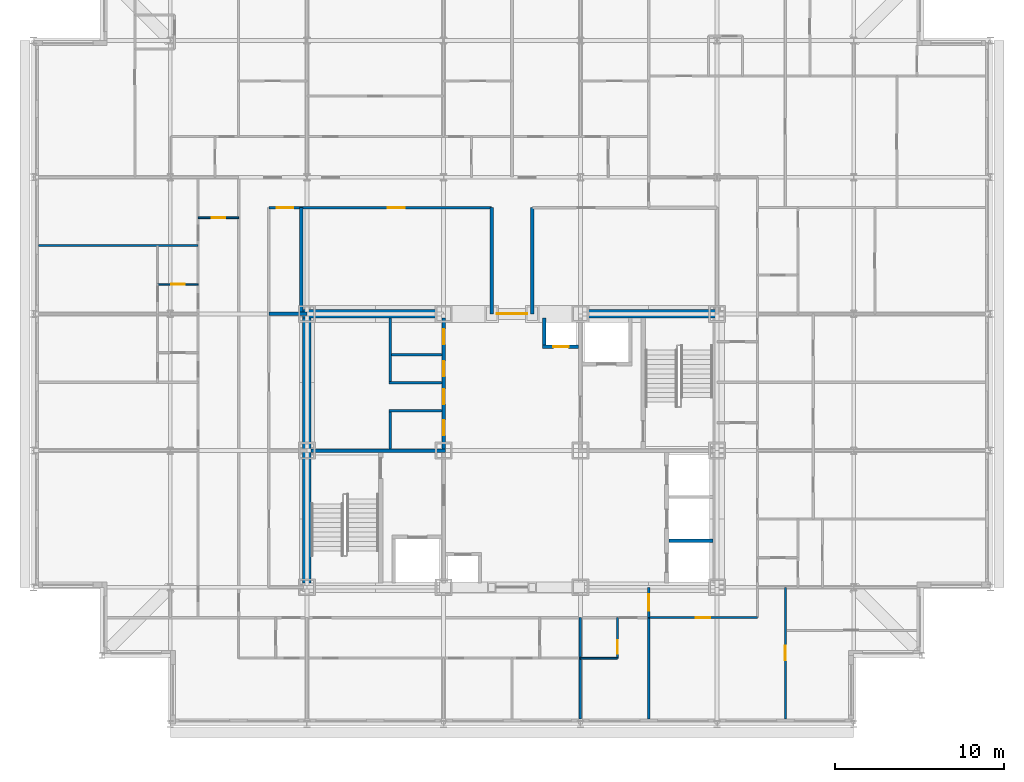
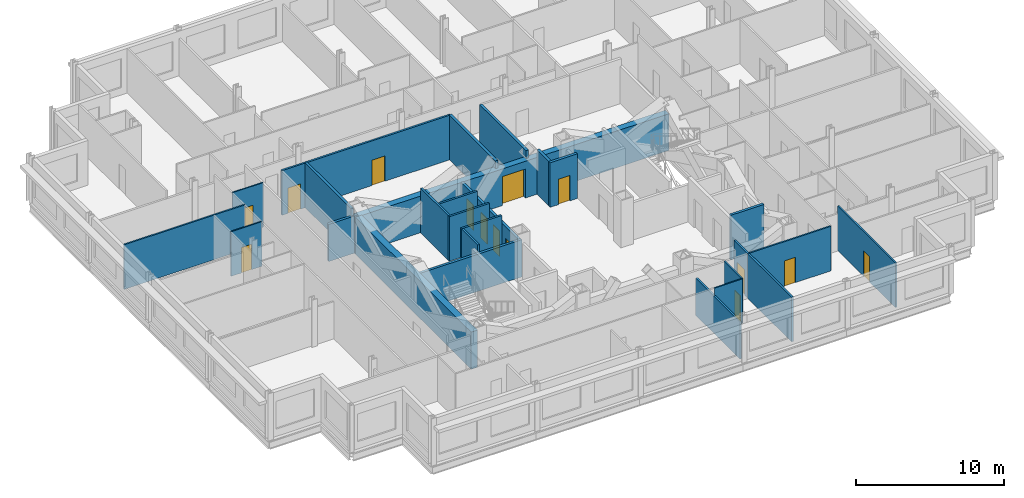
# One storey, part 9 of 15: 27 walls, 14 doors, 14 openings.
"""IFC4 building model written with IfcOpenShell, lengths in metres."""

from ifc_helpers import new_model, si_unit, direction, frame, frame_2d, origin, place, context, subcontext, project, spatial, rectangle, extrude, material, layer, layer_set, type_object, element, fill, save


model = new_model("IFC4")

# Units and contexts
model_context = context("Model", 3, precision=1e-05, world=origin(), true_north=direction((0.0, 1.0)))
body_context = subcontext(model_context, "Body", "Model", "MODEL_VIEW")
ifc_project = project(units=[si_unit("LENGTHUNIT", "METRE"), si_unit("AREAUNIT", "SQUARE_METRE"), si_unit("VOLUMEUNIT", "CUBIC_METRE"), si_unit("PLANEANGLEUNIT", "RADIAN"), si_unit("MASSUNIT", "GRAM", prefix="KILO")], contexts=[model_context])

# Site, building, storey
site_placement = place(None, origin())
site = spatial("IfcSite", under=ifc_project, at=site_placement, CompositionType="ELEMENT")
building_placement = place(site_placement, origin())
building = spatial("IfcBuilding", under=site, at=building_placement, Name="Kopane Lantern Tower", CompositionType="ELEMENT")
storey_placement = place(building_placement, frame((0.0, 0.0, 281.39990234375)))
storey = spatial("IfcBuildingStorey", under=building, at=storey_placement, Name="L72", CompositionType="ELEMENT", Elevation=281.39990234375)

# Wall
ifc_material_1 = material(Name="Gypsum board on steel studs", Category="steel")
ifc_layer_1 = layer(ifc_material_1, 0.1201171875)
ifc_layer_set_1 = layer_set([ifc_layer_1], Name="APARTMENT INTERNAL WALL 120")
wall_type_1 = type_object("IfcWallType", Name="APARTMENT INTERNAL WALL 120", PredefinedType="PARTITIONING", material=ifc_layer_set_1)
wall_1_placement = place(storey_placement, frame((9.75, 44.550048828125, 0.0), z_axis=(0.0, 0.0, 1.0), x_axis=(-1.0, 0.0, 0.0)))
element("IfcWall", 1, at=wall_1_placement, inside=storey, type_object=wall_type_1, Name="Apartment Internal Wall 120 L72", PredefinedType="PARTITIONING", context=body_context, shape_type="SweptSolid", body=[
    extrude(rectangle(XDim=9.449951171875, YDim=0.1201171875, at=frame_2d((4.72509765625, 0.0))), origin(), (0.0, 0.0, 1.0), 3.690185546875),
])

# Wall, opening, door
wall_2_placement = place(storey_placement, frame((36.449951171875, 22.5, 0.0), z_axis=(0.0, 0.0, 1.0), x_axis=(1.0, 0.0, 0.0)))
wall_2 = element("IfcWall", 2, at=wall_2_placement, inside=storey, type_object=wall_type_1, Name="Apartment Internal Wall 120 L72", PredefinedType="PARTITIONING", context=body_context, shape_type="SweptSolid", body=[
    extrude(rectangle(XDim=6.449951171875, YDim=0.1201171875, at=frame_2d((3.22509765625, 0.0))), origin(), (0.0, 0.0, 1.0), 3.690185546875),
])
opening_1_placement = place(wall_2_placement, frame((2.800048828125, 0.0, 0.0)))
opening_1 = element("IfcOpeningElement", 3, at=opening_1_placement, cuts=wall_2, Name="Opening L72-039", PredefinedType="OPENING", context=body_context, shape_type="SweptSolid", body=[
    extrude(rectangle(XDim=0.85009765625, YDim=2.10009765625, at=frame_2d((0.425048828125, 1.050048828125))), frame((0.0, 0.070068359375, 0.0), z_axis=(0.0, -1.0, 0.0), x_axis=(1.0, 0.0, 0.0)), (0.0, 0.0, 1.0), 0.14013671875),
])
ifc_material_2 = material(Name="Timber door set", Category="wood")
door_type_1 = type_object("IfcDoorType", Name="DOOR D4 850x2100", OperationType="SINGLE_SWING_LEFT", PredefinedType="DOOR", material=ifc_material_2)
door_1_placement = place(opening_1_placement, origin())
door_1 = element("IfcDoor", 4, at=door_1_placement, inside=storey, type_object=door_type_1, Name="Door L72-039", OperationType="SINGLE_SWING_RIGHT", OverallHeight=2.10009765625, OverallWidth=0.85009765625, PredefinedType="DOOR", context=body_context, shape_type="SweptSolid", body=[
    extrude(rectangle(XDim=0.85009765625, YDim=2.10009765625, at=frame_2d((0.425048828125, 1.050048828125))), frame((0.0, 0.02490234375, 0.0), z_axis=(0.0, -1.0, 0.0), x_axis=(1.0, 0.0, 0.0)), (0.0, 0.0, 1.0), 0.050048828125),
])
fill(opening_1, door_1)

wall_3_placement = place(storey_placement, frame((44.550048828125, 16.5, 0.0), z_axis=(0.0, 0.0, 1.0), x_axis=(0.0, 1.0, 0.0)))
wall_3 = element("IfcWall", 5, at=wall_3_placement, inside=storey, type_object=wall_type_1, Name="Apartment Internal Wall 120 L72", PredefinedType="PARTITIONING", context=body_context, shape_type="SweptSolid", body=[
    extrude(rectangle(XDim=7.800048828125, YDim=0.1201171875, at=frame_2d((3.89990234375, 0.0))), origin(), (0.0, 0.0, 1.0), 3.690185546875),
])
opening_2_placement = place(wall_3_placement, frame((3.47509765625, 0.0, 0.0)))
opening_2 = element("IfcOpeningElement", 6, at=opening_2_placement, cuts=wall_3, Name="Opening L72-040", PredefinedType="OPENING", context=body_context, shape_type="SweptSolid", body=[
    extrude(rectangle(XDim=0.85009765625, YDim=2.10009765625, at=frame_2d((0.425048828125, 1.050048828125))), frame((0.0, 0.070068359375, 0.0), z_axis=(0.0, -1.0, 0.0), x_axis=(1.0, 0.0, 0.0)), (0.0, 0.0, 1.0), 0.14013671875),
])
door_2_placement = place(opening_2_placement, origin())
door_2 = element("IfcDoor", 7, at=door_2_placement, inside=storey, type_object=door_type_1, Name="Door L72-040", OperationType="SINGLE_SWING_LEFT", OverallHeight=2.10009765625, OverallWidth=0.85009765625, PredefinedType="DOOR", context=body_context, shape_type="SweptSolid", body=[
    extrude(rectangle(XDim=0.85009765625, YDim=2.10009765625, at=frame_2d((0.425048828125, 1.050048828125))), frame((0.0, 0.02490234375, 0.0), z_axis=(0.0, -1.0, 0.0), x_axis=(1.0, 0.0, 0.0)), (0.0, 0.0, 1.0), 0.050048828125),
])
fill(opening_2, door_2)

# Wall
ifc_material_3 = material(Name="Moisture-resistant board on steel studs", Category="steel")
ifc_layer_2 = layer(ifc_material_3, 0.10009765625)
ifc_layer_set_2 = layer_set([ifc_layer_2], Name="BATHROOM WALL 100")
wall_type_2 = type_object("IfcWallType", Name="BATHROOM WALL 100", PredefinedType="PARTITIONING", material=ifc_layer_set_2)
wall_4_placement = place(storey_placement, frame((32.39990234375, 20.10009765625, 0.0), z_axis=(0.0, 0.0, 1.0), x_axis=(1.0, 0.0, 0.0)))
element("IfcWall", 8, at=wall_4_placement, inside=storey, type_object=wall_type_2, Name="Bathroom Wall 100 L72", PredefinedType="PARTITIONING", context=body_context, shape_type="SweptSolid", body=[
    extrude(rectangle(XDim=2.2001953125, YDim=0.10009765625, at=frame_2d((1.10009765625, 0.0))), origin(), (0.0, 0.0, 1.0), 3.690185546875),
])

# Wall, opening, door
wall_5_placement = place(storey_placement, frame((34.60009765625, 22.5, 0.0), z_axis=(0.0, 0.0, 1.0), x_axis=(0.0, -1.0, 0.0)))
wall_5 = element("IfcWall", 9, at=wall_5_placement, inside=storey, type_object=wall_type_2, Name="Bathroom Wall 100 L72", PredefinedType="PARTITIONING", context=body_context, shape_type="SweptSolid", body=[
    extrude(rectangle(XDim=2.39990234375, YDim=0.10009765625, at=frame_2d((1.199951171875, 0.0))), origin(), (0.0, 0.0, 1.0), 3.690185546875),
])
opening_3_placement = place(wall_5_placement, frame((1.35009765625, 0.0, 0.0)))
opening_3 = element("IfcOpeningElement", 10, at=opening_3_placement, cuts=wall_5, Name="Opening L72-011", PredefinedType="OPENING", context=body_context, shape_type="SweptSolid", body=[
    extrude(rectangle(XDim=0.800048828125, YDim=2.10009765625, at=frame_2d((0.39990234375, 1.050048828125))), frame((0.0, 0.06005859375, 0.0), z_axis=(0.0, -1.0, 0.0), x_axis=(1.0, 0.0, 0.0)), (0.0, 0.0, 1.0), 0.1201171875),
])
ifc_material_4 = material(Name="Timber door set", Category="wood")
door_type_2 = type_object("IfcDoorType", Name="DOOR D2 800x2100", OperationType="SINGLE_SWING_LEFT", PredefinedType="DOOR", material=ifc_material_4)
door_3_placement = place(opening_3_placement, origin())
door_3 = element("IfcDoor", 11, at=door_3_placement, inside=storey, type_object=door_type_2, Name="Door L72-011", OperationType="SINGLE_SWING_LEFT", OverallHeight=2.10009765625, OverallWidth=0.800048828125, PredefinedType="DOOR", context=body_context, shape_type="SweptSolid", body=[
    extrude(rectangle(XDim=0.800048828125, YDim=2.10009765625, at=frame_2d((0.39990234375, 1.050048828125))), frame((0.0, 0.02490234375, 0.0), z_axis=(0.0, -1.0, 0.0), x_axis=(1.0, 0.0, 0.0)), (0.0, 0.0, 1.0), 0.050048828125),
])
fill(opening_3, door_3)

wall_6_placement = place(storey_placement, frame((12.14990234375, 46.199951171875, 0.0), z_axis=(0.0, 0.0, 1.0), x_axis=(-1.0, 0.0, 0.0)))
wall_6 = element("IfcWall", 12, at=wall_6_placement, inside=storey, type_object=wall_type_2, Name="Bathroom Wall 100 L72", PredefinedType="PARTITIONING", context=body_context, shape_type="SweptSolid", body=[
    extrude(rectangle(XDim=2.39990234375, YDim=0.10009765625, at=frame_2d((1.199951171875, 0.0))), origin(), (0.0, 0.0, 1.0), 3.690185546875),
])
opening_4_placement = place(wall_6_placement, frame((0.800048828125, 0.0, 0.0)))
opening_4 = element("IfcOpeningElement", 13, at=opening_4_placement, cuts=wall_6, Name="Opening L72-021", PredefinedType="OPENING", context=body_context, shape_type="SweptSolid", body=[
    extrude(rectangle(XDim=0.800048828125, YDim=2.10009765625, at=frame_2d((0.39990234375, 1.050048828125))), frame((0.0, 0.06005859375, 0.0), z_axis=(0.0, -1.0, 0.0), x_axis=(1.0, 0.0, 0.0)), (0.0, 0.0, 1.0), 0.1201171875),
])
door_4_placement = place(opening_4_placement, origin())
door_4 = element("IfcDoor", 14, at=door_4_placement, inside=storey, type_object=door_type_2, Name="Door L72-021", OperationType="SINGLE_SWING_RIGHT", OverallHeight=2.10009765625, OverallWidth=0.800048828125, PredefinedType="DOOR", context=body_context, shape_type="SweptSolid", body=[
    extrude(rectangle(XDim=0.800048828125, YDim=2.10009765625, at=frame_2d((0.39990234375, 1.050048828125))), frame((0.0, 0.02490234375, 0.0), z_axis=(0.0, -1.0, 0.0), x_axis=(1.0, 0.0, 0.0)), (0.0, 0.0, 1.0), 0.050048828125),
])
fill(opening_4, door_4)

wall_7_placement = place(storey_placement, frame((9.75, 42.25, 0.0), z_axis=(0.0, 0.0, 1.0), x_axis=(-1.0, 0.0, 0.0)))
wall_7 = element("IfcWall", 15, at=wall_7_placement, inside=storey, type_object=wall_type_2, Name="Bathroom Wall 100 L72", PredefinedType="PARTITIONING", context=body_context, shape_type="SweptSolid", body=[
    extrude(rectangle(XDim=2.39990234375, YDim=0.10009765625, at=frame_2d((1.199951171875, 0.0))), origin(), (0.0, 0.0, 1.0), 3.690185546875),
])
opening_5_placement = place(wall_7_placement, frame((0.800048828125, 0.0, 0.0)))
opening_5 = element("IfcOpeningElement", 16, at=opening_5_placement, cuts=wall_7, Name="Opening L72-027", PredefinedType="OPENING", context=body_context, shape_type="SweptSolid", body=[
    extrude(rectangle(XDim=0.800048828125, YDim=2.10009765625, at=frame_2d((0.39990234375, 1.050048828125))), frame((0.0, 0.06005859375, 0.0), z_axis=(0.0, -1.0, 0.0), x_axis=(1.0, 0.0, 0.0)), (0.0, 0.0, 1.0), 0.1201171875),
])
door_5_placement = place(opening_5_placement, origin())
door_5 = element("IfcDoor", 17, at=door_5_placement, inside=storey, type_object=door_type_2, Name="Door L72-027", OperationType="SINGLE_SWING_RIGHT", OverallHeight=2.10009765625, OverallWidth=0.800048828125, PredefinedType="DOOR", context=body_context, shape_type="SweptSolid", body=[
    extrude(rectangle(XDim=0.800048828125, YDim=2.10009765625, at=frame_2d((0.39990234375, 1.050048828125))), frame((0.0, 0.02490234375, 0.0), z_axis=(0.0, -1.0, 0.0), x_axis=(1.0, 0.0, 0.0)), (0.0, 0.0, 1.0), 0.050048828125),
])
fill(opening_5, door_5)

ifc_material_5 = material(Name="Gypsum shaft wall EI 120", Category="gypsum")
ifc_layer_3 = layer(ifc_material_5, 0.5)
ifc_layer_set_3 = layer_set([ifc_layer_3], Name="CORE PERIMETER WALL 500 EI 120")
wall_type_3 = type_object("IfcWallType", Name="CORE PERIMETER WALL 500 EI 120", PredefinedType="SOLIDWALL", material=ifc_layer_set_3)
wall_8_placement = place(storey_placement, frame((15.949951171875, 40.5, 0.0), z_axis=(0.0, 0.0, 1.0), x_axis=(1.0, 0.0, 0.0)))
wall_8 = element("IfcWall", 18, at=wall_8_placement, inside=storey, type_object=wall_type_3, Name="Core shaft wall L72 PN", PredefinedType="SOLIDWALL", context=body_context, shape_type="SweptSolid", body=[
    extrude(rectangle(XDim=24.550048828125, YDim=0.5, at=frame_2d((12.27490234375, 0.0))), origin(), (0.0, 0.0, 1.0), 3.0400390625),
])
opening_6_placement = place(wall_8_placement, frame((11.5, 0.0, 0.0)))
opening_6 = element("IfcOpeningElement", 19, at=opening_6_placement, cuts=wall_8, Name="Opening 72.CE-N", PredefinedType="OPENING", context=body_context, shape_type="SweptSolid", body=[
    extrude(rectangle(XDim=1.800048828125, YDim=2.39990234375, at=frame_2d((0.89990234375, 1.199951171875))), frame((0.0, 0.260009765625, 0.0), z_axis=(0.0, -1.0, 0.0), x_axis=(1.0, 0.0, 0.0)), (0.0, 0.0, 1.0), 0.52001953125),
])
ifc_material_6 = material(Name="Steel door set", Category="steel")
door_type_3 = type_object("IfcDoorType", Name="CORE ENTRY DOOR 1800x2400 FD60S", OperationType="DOUBLE_DOOR_SINGLE_SWING", PredefinedType="DOOR", material=ifc_material_6)
door_6_placement = place(opening_6_placement, origin())
door_6 = element("IfcDoor", 20, at=door_6_placement, inside=storey, type_object=door_type_3, Name="Core entry door L72 north", OperationType="DOUBLE_DOOR_SINGLE_SWING", OverallHeight=2.39990234375, OverallWidth=1.800048828125, PredefinedType="DOOR", context=body_context, shape_type="SweptSolid", body=[
    extrude(rectangle(XDim=1.800048828125, YDim=2.39990234375, at=frame_2d((0.89990234375, 1.199951171875))), frame((0.0, 0.02490234375, 0.0), z_axis=(0.0, -1.0, 0.0), x_axis=(1.0, 0.0, 0.0)), (0.0, 0.0, 1.0), 0.050048828125),
])
fill(opening_6, door_6)

# Walls
wall_9_placement = place(storey_placement, frame((16.199951171875, 24.550048828125, 0.0), z_axis=(0.0, 0.0, 1.0), x_axis=(0.0, 1.0, 0.0)))
element("IfcWall", 21, at=wall_9_placement, inside=storey, type_object=wall_type_3, Name="Core shaft wall L72 PW", PredefinedType="SOLIDWALL", context=body_context, shape_type="SweptSolid", body=[
    extrude(rectangle(XDim=15.699951171875, YDim=0.5, at=frame_2d((7.85009765625, 0.0))), origin(), (0.0, 0.0, 1.0), 3.077880859375),
])
ifc_material_7 = material(Name="Gypsum partition EI 60", Category="gypsum")
ifc_layer_4 = layer(ifc_material_7, 0.14990234375)
ifc_layer_set_4 = layer_set([ifc_layer_4], Name="CORE ROOM PARTITION 150 EI 60")
wall_type_4 = type_object("IfcWallType", Name="CORE ROOM PARTITION 150 EI 60", PredefinedType="PARTITIONING", material=ifc_layer_set_4)
for number, where, z_axis, x_axis, name in (
    (22, (21.050048828125, 34.77490234375, 0.0), (0.0, 0.0, 1.0), (1.0, 0.0, 0.0), "Core room partition L72 WW1"),
    (23, (21.050048828125, 36.425048828125, 0.0), (0.0, 0.0, 1.0), (1.0, 0.0, 0.0), "Core room partition L72 WW2"),
):
    element("IfcWall", number, at=place(storey_placement, frame(where, z_axis=z_axis, x_axis=x_axis)), inside=storey, type_object=wall_type_4, Name=name, PredefinedType="PARTITIONING", context=body_context, shape_type="SweptSolid", body=[
        extrude(rectangle(XDim=3.14990234375, YDim=0.14990234375, at=frame_2d((1.574951171875, 0.0))), origin(), (0.0, 0.0, 1.0), 3.690185546875),
    ])
wall_10_placement = place(storey_placement, frame((21.199951171875, 38.074951171875, 0.0), z_axis=(0.0, 0.0, 1.0), x_axis=(1.0, 0.0, 0.0)))
element("IfcWall", 24, at=wall_10_placement, inside=storey, type_object=wall_type_4, Name="Core room partition L72 WW3", PredefinedType="PARTITIONING", context=body_context, shape_type="SweptSolid", body=[
    extrude(rectangle(XDim=3.0, YDim=0.14990234375, at=frame_2d((1.5, 0.0))), origin(), (0.0, 0.0, 1.0), 3.690185546875),
])
wall_11_placement = place(storey_placement, frame((21.125, 32.5, 0.0), z_axis=(0.0, 0.0, 1.0), x_axis=(0.0, 1.0, 0.0)))
element("IfcWall", 25, at=wall_11_placement, inside=storey, type_object=wall_type_4, Name="Core room partition L72 WWB0", PredefinedType="PARTITIONING", context=body_context, shape_type="SweptSolid", body=[
    extrude(rectangle(XDim=2.199951171875, YDim=0.14990234375, at=frame_2d((1.10009765625, 0.0))), origin(), (0.0, 0.0, 1.0), 3.690185546875),
])
wall_12_placement = place(storey_placement, frame((21.125, 36.5, 0.0), z_axis=(0.0, 0.0, 1.0), x_axis=(0.0, 1.0, 0.0)))
element("IfcWall", 26, at=wall_12_placement, inside=storey, type_object=wall_type_4, Name="Core room partition L72 WWB1", PredefinedType="PARTITIONING", context=body_context, shape_type="SweptSolid", body=[
    extrude(rectangle(XDim=3.75, YDim=0.14990234375, at=frame_2d((1.875, 0.0))), origin(), (0.0, 0.0, 1.0), 3.690185546875),
])

# Wall, openings, doors
ifc_material_8 = material(Name="Gypsum partition EI 60", Category="gypsum")
ifc_layer_5 = layer(ifc_material_8, 0.199951171875)
ifc_layer_set_5 = layer_set([ifc_layer_5], Name="CORE ROOM WALL 200 EI 60")
wall_type_5 = type_object("IfcWallType", Name="CORE ROOM WALL 200 EI 60", PredefinedType="PARTITIONING", material=ifc_layer_set_5)
wall_13_placement = place(storey_placement, frame((24.300048828125, 32.5, 0.0), z_axis=(0.0, 0.0, 1.0), x_axis=(0.0, 1.0, 0.0)))
wall_13 = element("IfcWall", 27, at=wall_13_placement, inside=storey, type_object=wall_type_5, Name="Core room wall L72 XW", PredefinedType="PARTITIONING", context=body_context, shape_type="SweptSolid", body=[
    extrude(rectangle(XDim=7.75, YDim=0.199951171875, at=frame_2d((3.875, 0.0))), origin(), (0.0, 0.0, 1.0), 3.077880859375),
])
opening_7_placement = place(wall_13_placement, frame((0.800048828125, 0.0, 0.0)))
opening_7 = element("IfcOpeningElement", 28, at=opening_7_placement, cuts=wall_13, Name="Opening 72.C30", PredefinedType="OPENING", context=body_context, shape_type="SweptSolid", body=[
    extrude(rectangle(XDim=0.89990234375, YDim=2.10009765625, at=frame_2d((0.449951171875, 1.050048828125))), frame((0.0, 0.10986328125, 0.0), z_axis=(0.0, -1.0, 0.0), x_axis=(1.0, 0.0, 0.0)), (0.0, 0.0, 1.0), 0.219970703125),
])
opening_8_placement = place(wall_13_placement, frame((2.64990234375, 0.0, 0.0)))
opening_8 = element("IfcOpeningElement", 29, at=opening_8_placement, cuts=wall_13, Name="Opening 72.C31", PredefinedType="OPENING", context=body_context, shape_type="SweptSolid", body=[
    extrude(rectangle(XDim=0.89990234375, YDim=2.10009765625, at=frame_2d((0.449951171875, 1.050048828125))), frame((0.0, 0.10986328125, 0.0), z_axis=(0.0, -1.0, 0.0), x_axis=(1.0, 0.0, 0.0)), (0.0, 0.0, 1.0), 0.219970703125),
])
opening_9_placement = place(wall_13_placement, frame((4.300048828125, 0.0, 0.0)))
opening_9 = element("IfcOpeningElement", 30, at=opening_9_placement, cuts=wall_13, Name="Opening 72.C32", PredefinedType="OPENING", context=body_context, shape_type="SweptSolid", body=[
    extrude(rectangle(XDim=0.89990234375, YDim=2.10009765625, at=frame_2d((0.449951171875, 1.050048828125))), frame((0.0, 0.10986328125, 0.0), z_axis=(0.0, -1.0, 0.0), x_axis=(1.0, 0.0, 0.0)), (0.0, 0.0, 1.0), 0.219970703125),
])
opening_10_placement = place(wall_13_placement, frame((6.199951171875, 0.0, 0.0)))
opening_10 = element("IfcOpeningElement", 31, at=opening_10_placement, cuts=wall_13, Name="Opening 72.C33", PredefinedType="OPENING", context=body_context, shape_type="SweptSolid", body=[
    extrude(rectangle(XDim=0.89990234375, YDim=2.10009765625, at=frame_2d((0.449951171875, 1.050048828125))), frame((0.0, 0.10986328125, 0.0), z_axis=(0.0, -1.0, 0.0), x_axis=(1.0, 0.0, 0.0)), (0.0, 0.0, 1.0), 0.219970703125),
])
ifc_material_9 = material(Name="Steel door set", Category="steel")
door_type_4 = type_object("IfcDoorType", Name="CORE ROOM DOOR 900x2100 FD60", OperationType="SINGLE_SWING_LEFT", PredefinedType="DOOR", material=ifc_material_9)
door_7_placement = place(opening_7_placement, origin())
door_7 = element("IfcDoor", 32, at=door_7_placement, inside=storey, type_object=door_type_4, Name="Door Refuse room L72", OperationType="SINGLE_SWING_RIGHT", OverallHeight=2.10009765625, OverallWidth=0.89990234375, PredefinedType="DOOR", context=body_context, shape_type="SweptSolid", body=[
    extrude(rectangle(XDim=0.89990234375, YDim=2.10009765625, at=frame_2d((0.449951171875, 1.050048828125))), frame((0.0, 0.02490234375, 0.0), z_axis=(0.0, -1.0, 0.0), x_axis=(1.0, 0.0, 0.0)), (0.0, 0.0, 1.0), 0.050048828125),
])
fill(opening_7, door_7)
door_8_placement = place(opening_8_placement, origin())
door_8 = element("IfcDoor", 33, at=door_8_placement, inside=storey, type_object=door_type_4, Name="Door Residents storage L72", OperationType="SINGLE_SWING_RIGHT", OverallHeight=2.10009765625, OverallWidth=0.89990234375, PredefinedType="DOOR", context=body_context, shape_type="SweptSolid", body=[
    extrude(rectangle(XDim=0.89990234375, YDim=2.10009765625, at=frame_2d((0.449951171875, 1.050048828125))), frame((0.0, 0.02490234375, 0.0), z_axis=(0.0, -1.0, 0.0), x_axis=(1.0, 0.0, 0.0)), (0.0, 0.0, 1.0), 0.050048828125),
])
fill(opening_8, door_8)
door_9_placement = place(opening_9_placement, origin())
door_9 = element("IfcDoor", 34, at=door_9_placement, inside=storey, type_object=door_type_4, Name="Door Cleaner store L72", OperationType="SINGLE_SWING_LEFT", OverallHeight=2.10009765625, OverallWidth=0.89990234375, PredefinedType="DOOR", context=body_context, shape_type="SweptSolid", body=[
    extrude(rectangle(XDim=0.89990234375, YDim=2.10009765625, at=frame_2d((0.449951171875, 1.050048828125))), frame((0.0, 0.02490234375, 0.0), z_axis=(0.0, -1.0, 0.0), x_axis=(1.0, 0.0, 0.0)), (0.0, 0.0, 1.0), 0.050048828125),
])
fill(opening_9, door_9)
door_10_placement = place(opening_10_placement, origin())
door_10 = element("IfcDoor", 35, at=door_10_placement, inside=storey, type_object=door_type_4, Name="Door IT room L72", OperationType="SINGLE_SWING_LEFT", OverallHeight=2.10009765625, OverallWidth=0.89990234375, PredefinedType="DOOR", context=body_context, shape_type="SweptSolid", body=[
    extrude(rectangle(XDim=0.89990234375, YDim=2.10009765625, at=frame_2d((0.449951171875, 1.050048828125))), frame((0.0, 0.02490234375, 0.0), z_axis=(0.0, -1.0, 0.0), x_axis=(1.0, 0.0, 0.0)), (0.0, 0.0, 1.0), 0.050048828125),
])
fill(opening_10, door_10)

ifc_material_10 = material(Name="Gypsum board on steel studs", Category="steel")
ifc_layer_6 = layer(ifc_material_10, 0.14990234375)
ifc_layer_set_6 = layer_set([ifc_layer_6], Name="CORRIDOR WALL 150 EI 60")
wall_type_6 = type_object("IfcWallType", Name="CORRIDOR WALL 150 EI 60", PredefinedType="PARTITIONING", material=ifc_layer_set_6)
wall_14_placement = place(storey_placement, frame((13.949951171875, 46.800048828125, 0.0), z_axis=(0.0, 0.0, 1.0), x_axis=(1.0, 0.0, 0.0)))
wall_14 = element("IfcWall", 36, at=wall_14_placement, inside=storey, type_object=wall_type_6, Name="Corridor Wall 150 Ei 60 L72", PredefinedType="PARTITIONING", context=body_context, shape_type="SweptSolid", body=[
    extrude(rectangle(XDim=13.18994140625, YDim=0.14990234375, at=frame_2d((6.594970703125, 0.0))), origin(), (0.0, 0.0, 1.0), 3.690185546875),
])
opening_11_placement = place(wall_14_placement, frame((0.452392578125, 0.0, 0.0)))
opening_11 = element("IfcOpeningElement", 37, at=opening_11_placement, cuts=wall_14, Name="Opening L72-003", PredefinedType="OPENING", context=body_context, shape_type="SweptSolid", body=[
    extrude(rectangle(XDim=1.0, YDim=2.10009765625, at=frame_2d((0.5, 1.050048828125))), frame((0.0, 0.0849609375, 0.0), z_axis=(0.0, -1.0, 0.0), x_axis=(1.0, 0.0, 0.0)), (0.0, 0.0, 1.0), 0.169921875),
])
opening_12_placement = place(wall_14_placement, frame((7.052490234375, 0.0, 0.0)))
opening_12 = element("IfcOpeningElement", 38, at=opening_12_placement, cuts=wall_14, Name="Opening L72-004", PredefinedType="OPENING", context=body_context, shape_type="SweptSolid", body=[
    extrude(rectangle(XDim=1.0, YDim=2.10009765625, at=frame_2d((0.5, 1.050048828125))), frame((0.0, 0.0849609375, 0.0), z_axis=(0.0, -1.0, 0.0), x_axis=(1.0, 0.0, 0.0)), (0.0, 0.0, 1.0), 0.169921875),
])
ifc_material_11 = material(Name="Steel door set", Category="steel")
door_type_5 = type_object("IfcDoorType", Name="DOOR D5 1000x2100 FD60", OperationType="SINGLE_SWING_LEFT", PredefinedType="DOOR", material=ifc_material_11)
door_11_placement = place(opening_11_placement, origin())
door_11 = element("IfcDoor", 39, at=door_11_placement, inside=storey, type_object=door_type_5, Name="Door L72-003", OperationType="SINGLE_SWING_RIGHT", OverallHeight=2.10009765625, OverallWidth=1.0, PredefinedType="DOOR", context=body_context, shape_type="SweptSolid", body=[
    extrude(rectangle(XDim=1.0, YDim=2.10009765625, at=frame_2d((0.5, 1.050048828125))), frame((0.0, 0.02490234375, 0.0), z_axis=(0.0, -1.0, 0.0), x_axis=(1.0, 0.0, 0.0)), (0.0, 0.0, 1.0), 0.050048828125),
])
fill(opening_11, door_11)
door_12_placement = place(opening_12_placement, origin())
door_12 = element("IfcDoor", 40, at=door_12_placement, inside=storey, type_object=door_type_5, Name="Door L72-004", OperationType="SINGLE_SWING_LEFT", OverallHeight=2.10009765625, OverallWidth=1.0, PredefinedType="DOOR", context=body_context, shape_type="SweptSolid", body=[
    extrude(rectangle(XDim=1.0, YDim=2.10009765625, at=frame_2d((0.5, 1.050048828125))), frame((0.0, 0.02490234375, 0.0), z_axis=(0.0, -1.0, 0.0), x_axis=(1.0, 0.0, 0.0)), (0.0, 0.0, 1.0), 0.050048828125),
])
fill(opening_12, door_12)

# Wall, opening, door
wall_15_placement = place(storey_placement, frame((36.449951171875, 22.5, 0.0), z_axis=(0.0, 0.0, 1.0), x_axis=(0.0, 1.0, 0.0)))
wall_15 = element("IfcWall", 41, at=wall_15_placement, inside=storey, type_object=wall_type_6, Name="Corridor Wall 150 Ei 60 L72", PredefinedType="PARTITIONING", context=body_context, shape_type="SweptSolid", body=[
    extrude(rectangle(XDim=1.800048828125, YDim=0.14990234375, at=frame_2d((0.89990234375, 0.0))), origin(), (0.0, 0.0, 1.0), 3.690185546875),
])
opening_13_placement = place(wall_15_placement, frame((0.39990234375, 0.0, 0.0)))
opening_13 = element("IfcOpeningElement", 42, at=opening_13_placement, cuts=wall_15, Name="Opening L72-037", PredefinedType="OPENING", context=body_context, shape_type="SweptSolid", body=[
    extrude(rectangle(XDim=1.0, YDim=2.10009765625, at=frame_2d((0.5, 1.050048828125))), frame((0.0, 0.0849609375, 0.0), z_axis=(0.0, -1.0, 0.0), x_axis=(1.0, 0.0, 0.0)), (0.0, 0.0, 1.0), 0.169921875),
])
ifc_material_12 = material(Name="Steel door set", Category="steel")
door_type_6 = type_object("IfcDoorType", Name="DOOR D3 1000x2100 FD30S", OperationType="SINGLE_SWING_LEFT", PredefinedType="DOOR", material=ifc_material_12)
door_13_placement = place(opening_13_placement, origin())
door_13 = element("IfcDoor", 43, at=door_13_placement, inside=storey, type_object=door_type_6, Name="Door L72-037", OperationType="SINGLE_SWING_RIGHT", OverallHeight=2.10009765625, OverallWidth=1.0, PredefinedType="DOOR", context=body_context, shape_type="SweptSolid", body=[
    extrude(rectangle(XDim=1.0, YDim=2.10009765625, at=frame_2d((0.5, 1.050048828125))), frame((0.0, 0.02490234375, 0.0), z_axis=(0.0, -1.0, 0.0), x_axis=(1.0, 0.0, 0.0)), (0.0, 0.0, 1.0), 0.050048828125),
])
fill(opening_13, door_13)

# Walls
ifc_material_13 = material(Name="Gypsum board on steel studs", Category="steel")
ifc_layer_7 = layer(ifc_material_13, 0.14990234375)
ifc_layer_set_7 = layer_set([ifc_layer_7], Name="DEMISING WALL 150 EI 60")
wall_type_7 = type_object("IfcWallType", Name="DEMISING WALL 150 EI 60", PredefinedType="PARTITIONING", material=ifc_layer_set_7)
wall_16_placement = place(storey_placement, frame((32.39990234375, 22.5, 0.0), z_axis=(0.0, 0.0, 1.0), x_axis=(0.0, -1.0, 0.0)))
element("IfcWall", 44, at=wall_16_placement, inside=storey, type_object=wall_type_7, Name="Demising Wall 150 Ei 60 L72", PredefinedType="PARTITIONING", context=body_context, shape_type="SweptSolid", body=[
    extrude(rectangle(XDim=6.0, YDim=0.14990234375, at=frame_2d((3.0, 0.0))), origin(), (0.0, 0.0, 1.0), 3.077880859375),
])
wall_17_placement = place(storey_placement, frame((36.449951171875, 16.5, 0.0), z_axis=(0.0, 0.0, 1.0), x_axis=(0.0, 1.0, 0.0)))
element("IfcWall", 45, at=wall_17_placement, inside=storey, type_object=wall_type_7, Name="Demising Wall 150 Ei 60 L72", PredefinedType="PARTITIONING", context=body_context, shape_type="SweptSolid", body=[
    extrude(rectangle(XDim=6.0, YDim=0.14990234375, at=frame_2d((3.0, 0.0))), origin(), (0.0, 0.0, 1.0), 3.690185546875),
])
ifc_material_14 = material(Name="Concrete masonry", Category="masonry")
ifc_layer_8 = layer(ifc_material_14, 0.199951171875)
ifc_layer_set_8 = layer_set([ifc_layer_8], Name="PLANT ROOM WALL 200 EI 120")
wall_type_8 = type_object("IfcWallType", Name="PLANT ROOM WALL 200 EI 120", PredefinedType="SOLIDWALL", material=ifc_layer_set_8)
for number, where, z_axis, x_axis, name in (
    (46, (15.854736328125, 46.800048828125, 0.0), (0.0, 0.0, 1.0), (0.0, -1.0, 0.0), "Plant Room Wall 200 Ei 120 L72"),
    (47, (27.14990234375, 40.5, 0.0), (0.0, 0.0, 1.0), (0.0, 1.0, 0.0), "Plant Room Wall 200 Ei 120 L72"),
    (48, (29.550048828125, 40.5, 0.0), (0.0, 0.0, 1.0), (0.0, 1.0, 0.0), "Plant Room Wall 200 Ei 120 L72"),
):
    element("IfcWall", number, at=place(storey_placement, frame(where, z_axis=z_axis, x_axis=x_axis)), inside=storey, type_object=wall_type_8, Name=name, PredefinedType="SOLIDWALL", context=body_context, shape_type="SweptSolid", body=[
        extrude(rectangle(XDim=6.300048828125, YDim=0.199951171875, at=frame_2d((3.14990234375, 0.0))), origin(), (0.0, 0.0, 1.0), 3.690185546875),
    ])
wall_18_placement = place(storey_placement, frame((13.949951171875, 40.5, 0.0), z_axis=(0.0, 0.0, 1.0), x_axis=(1.0, 0.0, 0.0)))
element("IfcWall", 49, at=wall_18_placement, inside=storey, type_object=wall_type_8, Name="Plant Room Wall 200 Ei 120 L72", PredefinedType="SOLIDWALL", context=body_context, shape_type="SweptSolid", body=[
    extrude(rectangle(XDim=2.25, YDim=0.199951171875, at=frame_2d((1.125, 0.0))), origin(), (0.0, 0.0, 1.0), 3.077880859375),
])
ifc_material_15 = material(Name="Gypsum shaft wall EI 120", Category="gypsum")
ifc_layer_9 = layer(ifc_material_15, 0.199951171875)
ifc_layer_set_9 = layer_set([ifc_layer_9], Name="SHAFT WALL 200 EI 120")
wall_type_9 = type_object("IfcWallType", Name="SHAFT WALL 200 EI 120", PredefinedType="SOLIDWALL", material=ifc_layer_set_9)
wall_19_placement = place(storey_placement, frame((16.449951171875, 32.39990234375, 0.0), z_axis=(0.0, 0.0, 1.0), x_axis=(1.0, 0.0, 0.0)))
element("IfcWall", 50, at=wall_19_placement, inside=storey, type_object=wall_type_9, Name="Core shaft wall L72 Y324W", PredefinedType="SOLIDWALL", context=body_context, shape_type="SweptSolid", body=[
    extrude(rectangle(XDim=7.949951171875, YDim=0.199951171875, at=frame_2d((3.97509765625, 0.0))), origin(), (0.0, 0.0, 1.0), 3.077880859375),
])
wall_20_placement = place(storey_placement, frame((37.64990234375, 27.050048828125, 0.0), z_axis=(0.0, 0.0, 1.0), x_axis=(1.0, 0.0, 0.0)))
element("IfcWall", 51, at=wall_20_placement, inside=storey, type_object=wall_type_9, Name="Core shaft wall L72 YLR12", PredefinedType="SOLIDWALL", context=body_context, shape_type="SweptSolid", body=[
    extrude(rectangle(XDim=2.60009765625, YDim=0.199951171875, at=frame_2d((1.300048828125, 0.0))), origin(), (0.0, 0.0, 1.0), 3.690185546875),
])
wall_21_placement = place(storey_placement, frame((30.25, 38.64990234375, 0.0), z_axis=(0.0, 0.0, 1.0), x_axis=(0.0, 1.0, 0.0)))
element("IfcWall", 52, at=wall_21_placement, inside=storey, type_object=wall_type_9, Name="Core shaft wall L72 XRS2", PredefinedType="SOLIDWALL", context=body_context, shape_type="SweptSolid", body=[
    extrude(rectangle(XDim=1.60009765625, YDim=0.199951171875, at=frame_2d((0.800048828125, 0.0))), origin(), (0.0, 0.0, 1.0), 3.690185546875),
])

# Wall, opening, door
wall_22_placement = place(storey_placement, frame((30.14990234375, 38.550048828125, 0.0), z_axis=(0.0, 0.0, 1.0), x_axis=(1.0, 0.0, 0.0)))
wall_22 = element("IfcWall", 53, at=wall_22_placement, inside=storey, type_object=wall_type_9, Name="Core shaft wall L72 YRS2", PredefinedType="SOLIDWALL", context=body_context, shape_type="SweptSolid", body=[
    extrude(rectangle(XDim=2.150146484375, YDim=0.199951171875, at=frame_2d((1.0751953125, 0.0))), origin(), (0.0, 0.0, 1.0), 3.690185546875),
])
opening_14_placement = place(wall_22_placement, frame((0.64990234375, 0.0, 0.0)))
opening_14 = element("IfcOpeningElement", 54, at=opening_14_placement, cuts=wall_22, Name="Opening 72.RS2", PredefinedType="OPENING", context=body_context, shape_type="SweptSolid", body=[
    extrude(rectangle(XDim=0.89990234375, YDim=2.10009765625, at=frame_2d((0.449951171875, 1.050048828125))), frame((0.0, 0.10986328125, 0.0), z_axis=(0.0, -1.0, 0.0), x_axis=(1.0, 0.0, 0.0)), (0.0, 0.0, 1.0), 0.219970703125),
])
ifc_material_16 = material(Name="Steel door set", Category="steel")
door_type_7 = type_object("IfcDoorType", Name="RISER ACCESS DOOR 900x2100 FD60", OperationType="SINGLE_SWING_LEFT", PredefinedType="DOOR", material=ifc_material_16)
door_14_placement = place(opening_14_placement, origin())
door_14 = element("IfcDoor", 55, at=door_14_placement, inside=storey, type_object=door_type_7, Name="Riser access door RS2 L72", OperationType="SINGLE_SWING_LEFT", OverallHeight=2.10009765625, OverallWidth=0.89990234375, PredefinedType="DOOR", context=body_context, shape_type="SweptSolid", body=[
    extrude(rectangle(XDim=0.89990234375, YDim=2.10009765625, at=frame_2d((0.449951171875, 1.050048828125))), frame((0.0, 0.02490234375, 0.0), z_axis=(0.0, -1.0, 0.0), x_axis=(1.0, 0.0, 0.0)), (0.0, 0.0, 1.0), 0.050048828125),
])
fill(opening_14, door_14)

save(model, "model.ifc")
